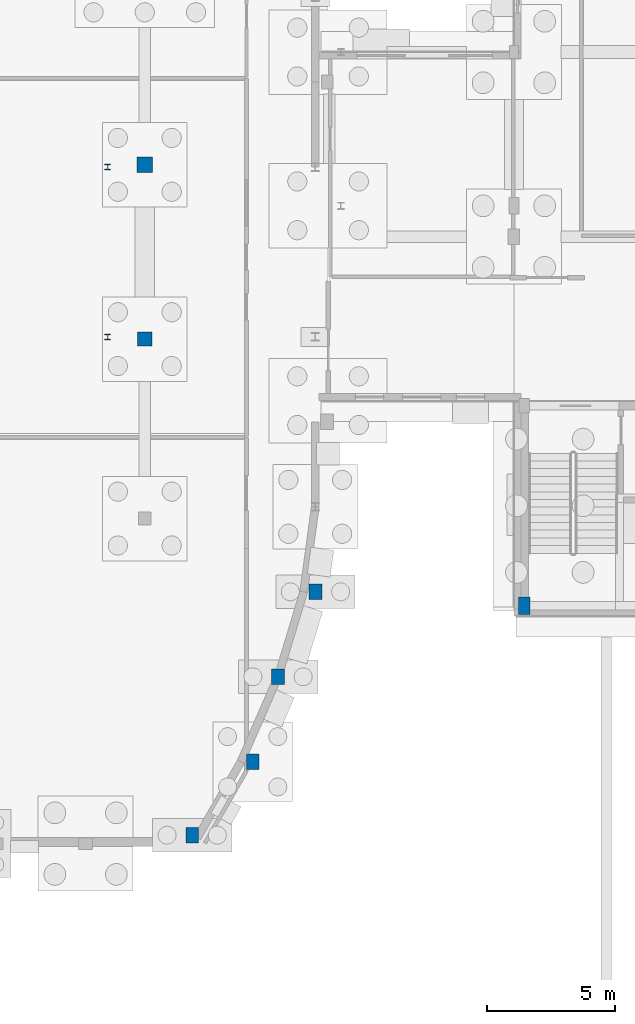
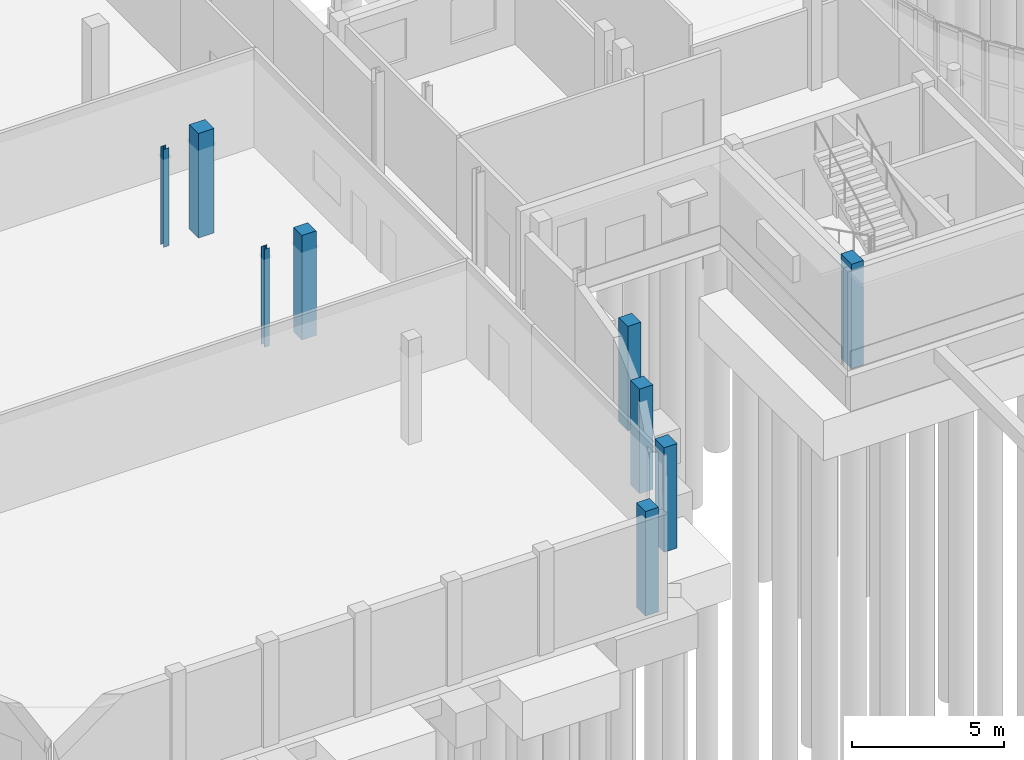
# One storey, part 14 of 93: 9 columns.
"""IFC4 building model written with IfcOpenShell, lengths in metres."""

from ifc_helpers import new_model, si_unit, direction, frame, origin, origin_2d, place, context, subcontext, project, spatial, rectangle, i_section, extrude, material, material_profile, profile_set, type_object, element, save


model = new_model("IFC4")

# Units and contexts
model_context = context("Model", 3, precision=1e-05, world=origin(), true_north=direction((0.0, 1.0)))
body_context = subcontext(model_context, "Body", "Model", "MODEL_VIEW")
ifc_project = project(units=[si_unit("LENGTHUNIT", "METRE"), si_unit("AREAUNIT", "SQUARE_METRE"), si_unit("VOLUMEUNIT", "CUBIC_METRE"), si_unit("PLANEANGLEUNIT", "RADIAN"), si_unit("MASSUNIT", "GRAM", prefix="KILO")], contexts=[model_context])

# Site, building, storey
site_placement = place(None, origin())
site = spatial("IfcSite", under=ifc_project, at=site_placement, CompositionType="ELEMENT")
building_placement = place(site_placement, origin())
building = spatial("IfcBuilding", under=site, at=building_placement, Name="Kelanivale Promenade Academy", CompositionType="ELEMENT")
storey_placement = place(building_placement, origin())
storey = spatial("IfcBuildingStorey", under=building, at=storey_placement, Name="L00", CompositionType="ELEMENT", Elevation=0.0)

# Columns
ifc_material_1 = material(Name="Concrete C40/50", Category="concrete")
ifc_material_profile_1 = material_profile(ifc_material_1, rectangle(XDim=0.550048828125, YDim=0.550048828125, at=origin_2d()), Name="RC-COL 550x550")
ifc_profile_set_1 = profile_set([ifc_material_profile_1], Name="Concrete C40/50")
column_type_1 = type_object("IfcColumnType", Name="C-04 RC-COL 550x550", PredefinedType="COLUMN", material=ifc_profile_set_1)
column_1_placement = place(storey_placement, frame((28.800048828125, 52.800048828125, 0.0), z_axis=(0.0, 0.0, 1.0), x_axis=(1.0, 0.0, 0.0)))
element("IfcColumn", 1, at=column_1_placement, inside=storey, type_object=column_type_1, Name="Column C-04 at (28.8, 52.8) L00", PredefinedType="COLUMN", context=body_context, shape_type="SweptSolid", body=[
    extrude(rectangle(XDim=0.550048828125, YDim=0.550048828125, at=origin_2d()), origin(), (0.0, 0.0, 1.0), 4.199951171875),
])
ifc_material_profile_2 = material_profile(ifc_material_1, rectangle(XDim=0.60009765625, YDim=0.60009765625, at=origin_2d()), Name="RC-COL 600x600")
ifc_profile_set_2 = profile_set([ifc_material_profile_2], Name="Concrete C40/50")
column_type_2 = type_object("IfcColumnType", Name="C-05 RC-COL 600x600", PredefinedType="COLUMN", material=ifc_profile_set_2)
column_2_placement = place(storey_placement, frame((28.800048828125, 59.60009765625, 0.0), z_axis=(0.0, 0.0, 1.0), x_axis=(1.0, 0.0, 0.0)))
element("IfcColumn", 2, at=column_2_placement, inside=storey, type_object=column_type_2, Name="Column C-05 at (28.8, 59.6) L00", PredefinedType="COLUMN", context=body_context, shape_type="SweptSolid", body=[
    extrude(rectangle(XDim=0.60009765625, YDim=0.60009765625, at=origin_2d()), origin(), (0.0, 0.0, 1.0), 4.199951171875),
])
ifc_material_profile_3 = material_profile(ifc_material_1, rectangle(XDim=0.449951171875, YDim=0.699951171875, at=origin_2d()), Name="RC-COL 450x700")
ifc_profile_set_3 = profile_set([ifc_material_profile_3], Name="Concrete C40/50")
column_type_3 = type_object("IfcColumnType", Name="C-10 RC-COL 450x700", PredefinedType="COLUMN", material=ifc_profile_set_3)
column_3_placement = place(storey_placement, frame((43.60009765625, 42.39990234375, 0.0), z_axis=(0.0, 0.0, 1.0), x_axis=(1.0, 0.0, 0.0)))
element("IfcColumn", 3, at=column_3_placement, inside=storey, type_object=column_type_3, Name="Column C-10 at (43.6, 42.4) L00", PredefinedType="COLUMN", context=body_context, shape_type="SweptSolid", body=[
    extrude(rectangle(XDim=0.449951171875, YDim=0.699951171875, at=origin_2d()), origin(), (0.0, 0.0, 1.0), 4.199951171875),
])
ifc_material_profile_4 = material_profile(ifc_material_1, rectangle(XDim=0.5, YDim=0.60009765625, at=origin_2d()), Name="RC-PIL 500x600")
ifc_profile_set_4 = profile_set([ifc_material_profile_4], Name="Concrete C40/50")
column_type_4 = type_object("IfcColumnType", Name="PL-18 RC-PIL 500x600", PredefinedType="PILASTER", material=ifc_profile_set_4)
for number, where, z_axis, x_axis, name in (
    (4, (30.64990234375, 33.449951171875, 0.0), (0.0, 0.0, 1.0), (1.0, 0.0, 0.0), "Column PL-18 at (30.6, 33.5) L00"),
    (5, (33.010009765625, 36.31396484375, 0.0), (0.0, 0.0, 1.0), (1.0, 0.0, 0.0), "Column PL-18 at (33.0, 36.3) L00"),
    (6, (34.0, 39.62890625, 0.0), (0.0, 0.0, 1.0), (1.0, 0.0, 0.0), "Column PL-18 at (34.0, 39.6) L00"),
    (7, (35.4599609375, 42.943115234375, 0.0), (0.0, 0.0, 1.0), (1.0, 0.0, 0.0), "Column PL-18 at (35.5, 42.9) L00"),
):
    element("IfcColumn", number, at=place(storey_placement, frame(where, z_axis=z_axis, x_axis=x_axis)), inside=storey, type_object=column_type_4, Name=name, PredefinedType="PILASTER", context=body_context, shape_type="SweptSolid", body=[
        extrude(rectangle(XDim=0.5, YDim=0.60009765625, at=origin_2d()), origin(), (0.0, 0.0, 1.0), 4.199951171875),
    ])
ifc_material_2 = material(Name="Steel S355", Category="steel")
ifc_material_profile_5 = material_profile(ifc_material_2, i_section(OverallWidth=0.204345703125, OverallDepth=0.206298828125, WebThickness=0.0078125, FlangeThickness=0.012451171875, FilletRadius=0.01025390625, at=origin_2d()), Name="UC 203x203x52")
ifc_profile_set_5 = profile_set([ifc_material_profile_5], Name="Steel S355")
column_type_5 = type_object("IfcColumnType", Name="SC-01 UC 203x203x52", PredefinedType="COLUMN", material=ifc_profile_set_5)
for number, where, z_axis, x_axis, name in (
    (8, (27.35009765625, 52.885986328125, 0.0), (0.0, 0.0, 1.0), (1.0, 0.0, 0.0), "Hall gallery support post SH-TR4"),
    (9, (27.35009765625, 59.513916015625, 0.0), (0.0, 0.0, 1.0), (1.0, 0.0, 0.0), "Hall gallery support post SH-TR5"),
):
    element("IfcColumn", number, at=place(storey_placement, frame(where, z_axis=z_axis, x_axis=x_axis)), inside=storey, type_object=column_type_5, Name=name, PredefinedType="COLUMN", context=body_context, shape_type="SweptSolid", body=[
        extrude(i_section(OverallWidth=0.204345703125, OverallDepth=0.206298828125, WebThickness=0.0078125, FlangeThickness=0.012451171875, FilletRadius=0.01025390625, at=origin_2d()), origin(), (0.0, 0.0, 1.0), 3.93505859375),
    ])

save(model, "model.ifc")
